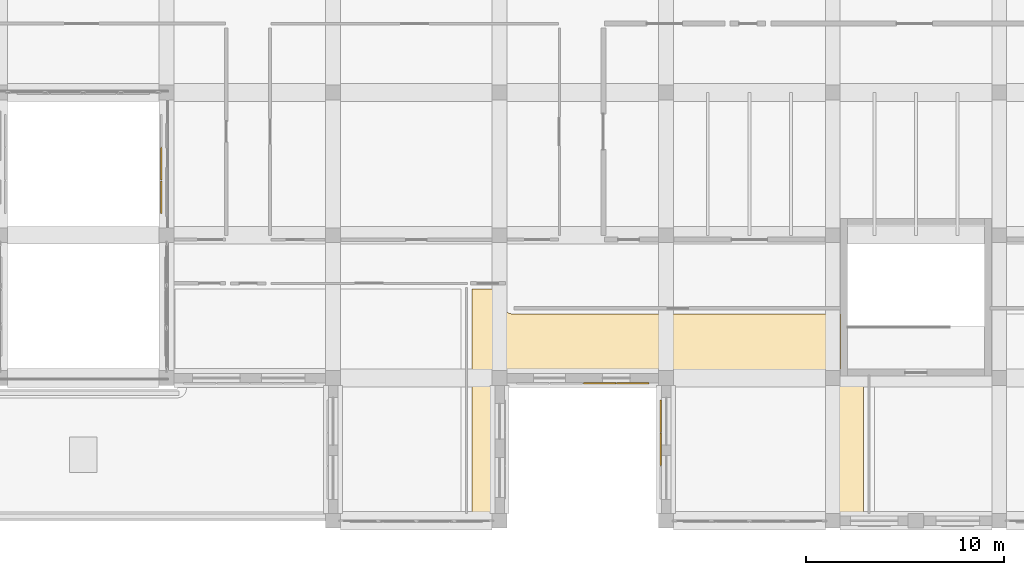
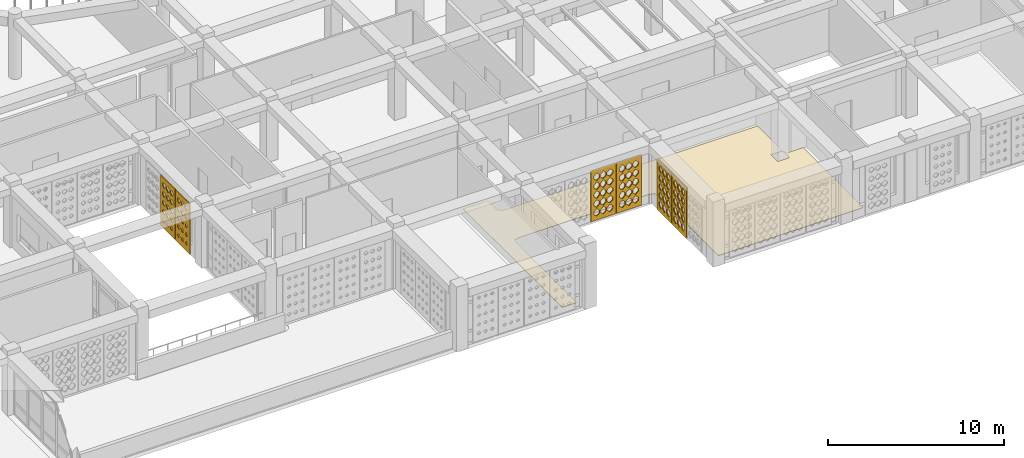
# One storey, part 85 of 111: 7 coverings.
"""IFC4 building model written with IfcOpenShell, lengths in metres."""

from ifc_helpers import new_model, si_unit, derived_unit, direction, frame, origin, place, context, subcontext, project, spatial, polyline, outline, extrude, material, layer, layer_set, type_object, element, save


model = new_model("IFC4")

# Units and contexts
model_context = context("Model", 3, precision=1e-05, world=origin(), true_north=direction((0.0, 1.0)))
body_context = subcontext(model_context, "Body", "Model", "MODEL_VIEW")
ifc_project = project(units=[si_unit("LENGTHUNIT", "METRE"), si_unit("AREAUNIT", "SQUARE_METRE"), si_unit("VOLUMEUNIT", "CUBIC_METRE"), si_unit("PLANEANGLEUNIT", "RADIAN"), si_unit("MASSUNIT", "GRAM", prefix="KILO"), derived_unit("THERMALTRANSMITTANCEUNIT", [(si_unit("POWERUNIT", "WATT"), 1), (si_unit("LENGTHUNIT", "METRE"), -2), (si_unit("THERMODYNAMICTEMPERATUREUNIT", "KELVIN"), -1)])], contexts=[model_context])

# Site, building, storey
site_placement = place(None, origin())
site = spatial("IfcSite", under=ifc_project, at=site_placement, CompositionType="ELEMENT")
building_placement = place(site_placement, origin())
building = spatial("IfcBuilding", under=site, at=building_placement, Name="Veybourne Emporium", CompositionType="ELEMENT")
storey_placement = place(building_placement, frame((0.0, 0.0, 9.89990234375)))
storey = spatial("IfcBuildingStorey", under=building, at=storey_placement, Name="L02", CompositionType="ELEMENT", Elevation=9.89990234375)

# Coverings
ifc_material_1 = material(Name="European Oak Parquet", Category="wood")
ifc_layer_1 = layer(ifc_material_1, 0.034912109375)
ifc_layer_set_1 = layer_set([ifc_layer_1], Name="European Oak Parquet")
covering_type_1 = type_object("IfcCoveringType", Name="Flooring_FLR-02", PredefinedType="FLOORING", material=ifc_layer_set_1)
covering_1_placement = place(storey_placement, origin())
element("IfcCovering", 1, at=covering_1_placement, inside=storey, type_object=covering_type_1, Name="L02 floor finish 04", PredefinedType="FLOORING", context=body_context, shape_type="SweptSolid", body=[
    extrude(outline(polyline([(92.840087890625, 7.199951171875), (92.83984375, 7.2099609375), (92.838623046875, 7.2333984375), (92.836669921875, 7.2529296875), (92.833251953125, 7.276123046875), (92.829345703125, 7.29541015625), (92.82373046875, 7.318359375), (92.81787109375, 7.337158203125), (92.81005859375, 7.359375), (92.802490234375, 7.37744140625), (92.79248046875, 7.398681640625), (92.783203125, 7.416015625), (92.780029296875, 7.42138671875), (92.780029296875, 7.580078125), (92.621337890625, 7.580078125), (92.615966796875, 7.583251953125), (92.5986328125, 7.592529296875), (92.577392578125, 7.6025390625), (92.559326171875, 7.610107421875), (92.537109375, 7.617919921875), (92.518310546875, 7.623779296875), (92.495361328125, 7.62939453125), (92.47607421875, 7.63330078125), (92.452880859375, 7.63671875), (92.433349609375, 7.638671875), (92.409912109375, 7.6396484375), (92.39990234375, 7.639892578125), (84.0, 7.639892578125), (83.990234375, 7.6396484375), (83.966552734375, 7.638671875), (83.947265625, 7.63671875), (83.923828125, 7.63330078125), (83.904541015625, 7.62939453125), (83.8818359375, 7.623779296875), (83.86279296875, 7.617919921875), (83.8408203125, 7.610107421875), (83.82275390625, 7.6025390625), (83.80126953125, 7.592529296875), (83.783935546875, 7.583251953125), (83.77880859375, 7.580078125), (83.6201171875, 7.580078125), (83.6201171875, 7.42138671875), (83.61669921875, 7.416015625), (83.607421875, 7.398681640625), (83.597412109375, 7.37744140625), (83.590087890625, 7.359375), (83.58203125, 7.337158203125), (83.576416015625, 7.318359375), (83.570556640625, 7.29541015625), (83.566650390625, 7.276123046875), (83.563232421875, 7.2529296875), (83.561279296875, 7.2333984375), (83.560302734375, 7.2099609375), (83.56005859375, 7.199951171875), (83.56005859375, 0.43994140625), (82.610107421875, 0.43994140625), (82.610107421875, 11.68994140625), (84.239990234375, 11.68994140625), (84.239990234375, 10.800048828125), (84.240234375, 10.790283203125), (84.240966796875, 10.7744140625), (84.242919921875, 10.755126953125), (84.2451171875, 10.739501953125), (84.2490234375, 10.72021484375), (84.2529296875, 10.704833984375), (84.258544921875, 10.68603515625), (84.263916015625, 10.67138671875), (84.271484375, 10.6533203125), (84.278076171875, 10.63916015625), (84.287353515625, 10.621826171875), (84.29541015625, 10.6083984375), (84.306396484375, 10.591796875), (84.315673828125, 10.579345703125), (84.328125, 10.564208984375), (84.338623046875, 10.552734375), (84.3525390625, 10.53857421875), (84.3642578125, 10.528076171875), (84.37939453125, 10.515625), (84.391845703125, 10.50634765625), (84.408203125, 10.495361328125), (84.421875, 10.4873046875), (84.43896484375, 10.47802734375), (84.453369140625, 10.471435546875), (84.471435546875, 10.4638671875), (84.486083984375, 10.45849609375), (84.5048828125, 10.452880859375), (84.520263671875, 10.448974609375), (84.53955078125, 10.4453125), (84.554931640625, 10.44287109375), (84.574462890625, 10.44091796875), (84.590087890625, 10.440185546875), (84.60009765625, 10.43994140625), (101.18994140625, 10.43994140625), (101.18994140625, 7.64990234375), (101.190185546875, 7.64013671875), (101.19091796875, 7.62451171875), (101.19287109375, 7.60498046875), (101.1953125, 7.589599609375), (101.198974609375, 7.570068359375), (101.202880859375, 7.554931640625), (101.20849609375, 7.5361328125), (101.2138671875, 7.521484375), (101.221435546875, 7.503173828125), (101.22802734375, 7.489013671875), (101.2373046875, 7.4716796875), (101.245361328125, 7.458251953125), (101.25634765625, 7.44189453125), (101.265625, 7.42919921875), (101.278076171875, 7.414306640625), (101.28857421875, 7.402587890625), (101.302734375, 7.388671875), (101.314208984375, 7.378173828125), (101.329345703125, 7.36572265625), (101.341796875, 7.3564453125), (101.3583984375, 7.345458984375), (101.371826171875, 7.33740234375), (101.38916015625, 7.328125), (101.4033203125, 7.3212890625), (101.42138671875, 7.31396484375), (101.43603515625, 7.30859375), (101.454833984375, 7.302978515625), (101.47021484375, 7.299072265625), (101.489501953125, 7.295166015625), (101.505126953125, 7.29296875), (101.5244140625, 7.291015625), (101.540283203125, 7.290283203125), (101.550048828125, 7.2900390625), (102.35009765625, 7.2900390625), (102.35009765625, 0.43994140625), (92.840087890625, 0.43994140625), (92.840087890625, 7.199951171875)]), holes=[polyline([(101.179931640625, 7.580078125), (100.419921875, 7.580078125), (100.419921875, 6.820068359375), (101.179931640625, 6.820068359375), (101.179931640625, 7.580078125)])]), origin(), (0.0, 0.0, 1.0), 0.03515625),
])
ifc_material_2 = material(Name="Warm-White Perforated Aluminium Screen Alloy", Category="aluminium")
ifc_layer_2 = layer(ifc_material_2, 0.06005859375)
ifc_layer_set_2 = layer_set([ifc_layer_2], Name="Warm-White Perforated Aluminium Screen Alloy")
covering_type_2 = type_object("IfcCoveringType", Name="WaveScreen_SCR-01", PredefinedType="CLADDING", material=ifc_layer_set_2)
covering_2_placement = place(storey_placement, frame((66.90185546875, 16.320068359375, 1.815185546875), z_axis=(1.0, 0.0, 0.0), x_axis=(0.0, 1.0, 0.0)))
element("IfcCovering", 2, at=covering_2_placement, inside=storey, type_object=covering_type_2, Name="L02 wave-perforated aluminium screen SCR-01 (37.1)", PredefinedType="CLADDING", context=body_context, shape_type="SweptSolid", body=[
    extrude(outline(polyline([(-0.81982421875, -1.7548828125), (0.81982421875, -1.7548828125), (0.81982421875, 1.7548828125), (-0.81982421875, 1.7548828125), (-0.81982421875, -1.7548828125)]), holes=[polyline([(-0.433349609375, -1.105224609375), (-0.32275390625, -1.183837890625), (-0.32275390625, -1.272216796875), (-0.433349609375, -1.350830078125), (-0.543701171875, -1.272216796875), (-0.543701171875, -1.183837890625), (-0.433349609375, -1.105224609375)]), polyline([(-0.433349609375, -0.482666015625), (-0.31591796875, -0.566650390625), (-0.31591796875, -0.661376953125), (-0.433349609375, -0.745361328125), (-0.55078125, -0.661376953125), (-0.55078125, -0.566650390625), (-0.433349609375, -0.482666015625)]), polyline([(-0.433349609375, 0.141845703125), (-0.307373046875, 0.051025390625), (-0.307373046875, -0.051025390625), (-0.433349609375, -0.141845703125), (-0.559326171875, -0.051025390625), (-0.559326171875, 0.051025390625), (-0.433349609375, 0.141845703125)]), polyline([(-0.433349609375, 0.767578125), (-0.297607421875, 0.669189453125), (-0.297607421875, 0.55859375), (-0.433349609375, 0.460205078125), (-0.569091796875, 0.55859375), (-0.569091796875, 0.669189453125), (-0.433349609375, 0.767578125)]), polyline([(-0.433349609375, 1.394775390625), (-0.286865234375, 1.2880859375), (-0.286865234375, 1.16796875), (-0.433349609375, 1.061279296875), (-0.57958984375, 1.16796875), (-0.57958984375, 1.2880859375), (-0.433349609375, 1.394775390625)]), polyline([(0.0, -1.1015625), (0.113525390625, -1.1826171875), (0.113525390625, -1.2734375), (0.0, -1.3544921875), (-0.113525390625, -1.2734375), (-0.113525390625, -1.1826171875), (0.0, -1.1015625)]), polyline([(0.0, -0.47802734375), (0.12109375, -0.565185546875), (0.12109375, -0.662841796875), (0.0, -0.75), (-0.12109375, -0.662841796875), (-0.12109375, -0.565185546875), (0.0, -0.47802734375)]), polyline([(0.0, 0.14697265625), (0.13037109375, 0.052978515625), (0.13037109375, -0.052978515625), (0.0, -0.14697265625), (-0.13037109375, -0.052978515625), (-0.13037109375, 0.052978515625), (0.0, 0.14697265625)]), polyline([(0.0, 0.7734375), (0.140380859375, 0.67138671875), (0.140380859375, 0.556640625), (0.0, 0.45458984375), (-0.140380859375, 0.556640625), (-0.140380859375, 0.67138671875), (0.0, 0.7734375)]), polyline([(0.0, 1.40087890625), (0.1513671875, 1.290283203125), (0.1513671875, 1.165771484375), (0.0, 1.05517578125), (-0.1513671875, 1.165771484375), (-0.1513671875, 1.290283203125), (0.0, 1.40087890625)]), polyline([(0.433349609375, -1.097412109375), (0.550048828125, -1.180908203125), (0.550048828125, -1.27490234375), (0.433349609375, -1.3583984375), (0.31640625, -1.27490234375), (0.31640625, -1.180908203125), (0.433349609375, -1.097412109375)]), polyline([(0.433349609375, -0.47314453125), (0.55859375, -0.563232421875), (0.55859375, -0.664794921875), (0.433349609375, -0.7548828125), (0.30810546875, -0.664794921875), (0.30810546875, -0.563232421875), (0.433349609375, -0.47314453125)]), polyline([(0.433349609375, 0.152587890625), (0.568115234375, 0.054931640625), (0.568115234375, -0.054931640625), (0.433349609375, -0.152587890625), (0.298583984375, -0.054931640625), (0.298583984375, 0.054931640625), (0.433349609375, 0.152587890625)]), polyline([(0.433349609375, 0.779296875), (0.57861328125, 0.673583984375), (0.57861328125, 0.554443359375), (0.433349609375, 0.448486328125), (0.2880859375, 0.554443359375), (0.2880859375, 0.673583984375), (0.433349609375, 0.779296875)]), polyline([(0.433349609375, 1.4072265625), (0.58984375, 1.29248046875), (0.58984375, 1.16357421875), (0.433349609375, 1.048828125), (0.276611328125, 1.16357421875), (0.276611328125, 1.29248046875), (0.433349609375, 1.4072265625)])]), origin(), (0.0, 0.0, 1.0), 0.06005859375),
])
covering_3_placement = place(storey_placement, frame((92.10205078125, 5.280029296875, 1.815185546875), z_axis=(1.0, 0.0, 0.0), x_axis=(0.0, 1.0, 0.0)))
element("IfcCovering", 3, at=covering_3_placement, inside=storey, type_object=covering_type_2, Name="L02 wave-perforated aluminium screen SCR-01 (47.3)", PredefinedType="CLADDING", context=body_context, shape_type="SweptSolid", body=[
    extrude(outline(polyline([(-0.81982421875, -1.7548828125), (0.81982421875, -1.7548828125), (0.81982421875, 1.7548828125), (-0.81982421875, 1.7548828125), (-0.81982421875, -1.7548828125)]), holes=[polyline([(-0.433349609375, -0.964111328125), (-0.2470703125, -1.133056640625), (-0.2470703125, -1.322998046875), (-0.433349609375, -1.491943359375), (-0.61962890625, -1.322998046875), (-0.61962890625, -1.133056640625), (-0.433349609375, -0.964111328125)]), polyline([(-0.433349609375, -0.35009765625), (-0.2470703125, -0.51904296875), (-0.2470703125, -0.708984375), (-0.433349609375, -0.8779296875), (-0.61962890625, -0.708984375), (-0.61962890625, -0.51904296875), (-0.433349609375, -0.35009765625)]), polyline([(-0.433349609375, 0.263916015625), (-0.2470703125, 0.094970703125), (-0.2470703125, -0.094970703125), (-0.433349609375, -0.263916015625), (-0.61962890625, -0.094970703125), (-0.61962890625, 0.094970703125), (-0.433349609375, 0.263916015625)]), polyline([(-0.433349609375, 0.8779296875), (-0.2470703125, 0.708984375), (-0.2470703125, 0.51904296875), (-0.433349609375, 0.35009765625), (-0.61962890625, 0.51904296875), (-0.61962890625, 0.708984375), (-0.433349609375, 0.8779296875)]), polyline([(-0.433349609375, 1.485595703125), (-0.2470703125, 1.32080078125), (-0.2470703125, 1.13525390625), (-0.433349609375, 0.97021484375), (-0.61962890625, 1.13525390625), (-0.61962890625, 1.32080078125), (-0.433349609375, 1.485595703125)]), polyline([(0.0, -0.964111328125), (0.186279296875, -1.133056640625), (0.186279296875, -1.322998046875), (0.0, -1.491943359375), (-0.186279296875, -1.322998046875), (-0.186279296875, -1.133056640625), (0.0, -0.964111328125)]), polyline([(0.0, -0.35009765625), (0.186279296875, -0.51904296875), (0.186279296875, -0.708984375), (0.0, -0.8779296875), (-0.186279296875, -0.708984375), (-0.186279296875, -0.51904296875), (0.0, -0.35009765625)]), polyline([(0.0, 0.263916015625), (0.186279296875, 0.094970703125), (0.186279296875, -0.094970703125), (0.0, -0.263916015625), (-0.186279296875, -0.094970703125), (-0.186279296875, 0.094970703125), (0.0, 0.263916015625)]), polyline([(0.0, 0.876220703125), (0.186279296875, 0.70849609375), (0.186279296875, 0.51953125), (0.0, 0.351806640625), (-0.186279296875, 0.51953125), (-0.186279296875, 0.70849609375), (0.0, 0.876220703125)]), polyline([(0.0, 1.4814453125), (0.186279296875, 1.3193359375), (0.186279296875, 1.13671875), (0.0, 0.974609375), (-0.186279296875, 1.13671875), (-0.186279296875, 1.3193359375), (0.0, 1.4814453125)]), polyline([(0.433349609375, -0.964111328125), (0.61962890625, -1.133056640625), (0.61962890625, -1.322998046875), (0.433349609375, -1.491943359375), (0.2470703125, -1.322998046875), (0.2470703125, -1.133056640625), (0.433349609375, -0.964111328125)]), polyline([(0.433349609375, -0.35009765625), (0.61962890625, -0.51904296875), (0.61962890625, -0.708984375), (0.433349609375, -0.8779296875), (0.2470703125, -0.708984375), (0.2470703125, -0.51904296875), (0.433349609375, -0.35009765625)]), polyline([(0.433349609375, 0.263916015625), (0.61962890625, 0.094970703125), (0.61962890625, -0.094970703125), (0.433349609375, -0.263916015625), (0.2470703125, -0.094970703125), (0.2470703125, 0.094970703125), (0.433349609375, 0.263916015625)]), polyline([(0.433349609375, 0.87255859375), (0.61962890625, 0.70703125), (0.61962890625, 0.52099609375), (0.433349609375, 0.35546875), (0.2470703125, 0.52099609375), (0.2470703125, 0.70703125), (0.433349609375, 0.87255859375)]), polyline([(0.433349609375, 1.47705078125), (0.61962890625, 1.317626953125), (0.61962890625, 1.13818359375), (0.433349609375, 0.97900390625), (0.2470703125, 1.13818359375), (0.2470703125, 1.317626953125), (0.433349609375, 1.47705078125)])]), origin(), (0.0, 0.0, 1.0), 0.06005859375),
])
ifc_layer_3 = layer(ifc_material_2, 0.06005859375)
ifc_layer_set_3 = layer_set([ifc_layer_3], Name="Warm-White Perforated Aluminium Screen Alloy")
covering_type_3 = type_object("IfcCoveringType", Name="WaveScreen_SCR-02", PredefinedType="CLADDING", material=ifc_layer_set_3)
covering_4_placement = place(storey_placement, frame((66.90185546875, 18.0, 1.815185546875), z_axis=(1.0, 0.0, 0.0), x_axis=(0.0, 1.0, 0.0)))
element("IfcCovering", 4, at=covering_4_placement, inside=storey, type_object=covering_type_3, Name="L02 wave-perforated aluminium screen SCR-02 (37.2)", PredefinedType="CLADDING", context=body_context, shape_type="SweptSolid", body=[
    extrude(outline(polyline([(-0.81982421875, -1.7548828125), (0.81982421875, -1.7548828125), (0.81982421875, 1.7548828125), (-0.81982421875, 1.7548828125), (-0.81982421875, -1.7548828125)]), holes=[polyline([(-0.433349609375, -1.0888671875), (-0.3095703125, -1.177978515625), (-0.3095703125, -1.278076171875), (-0.433349609375, -1.3671875), (-0.55712890625, -1.278076171875), (-0.55712890625, -1.177978515625), (-0.433349609375, -1.0888671875)]), polyline([(-0.433349609375, -0.46337890625), (-0.300048828125, -0.559814453125), (-0.300048828125, -0.668212890625), (-0.433349609375, -0.7646484375), (-0.566650390625, -0.668212890625), (-0.566650390625, -0.559814453125), (-0.433349609375, -0.46337890625)]), polyline([(-0.433349609375, 0.16357421875), (-0.28955078125, 0.058837890625), (-0.28955078125, -0.058837890625), (-0.433349609375, -0.16357421875), (-0.5771484375, -0.058837890625), (-0.5771484375, 0.058837890625), (-0.433349609375, 0.16357421875)]), polyline([(-0.433349609375, 0.791015625), (-0.2783203125, 0.677734375), (-0.2783203125, 0.55029296875), (-0.433349609375, 0.43701171875), (-0.588134765625, 0.55029296875), (-0.588134765625, 0.677734375), (-0.433349609375, 0.791015625)]), polyline([(-0.433349609375, 1.419189453125), (-0.266845703125, 1.296875), (-0.266845703125, 1.1591796875), (-0.433349609375, 1.036865234375), (-0.599853515625, 1.1591796875), (-0.599853515625, 1.296875), (-0.433349609375, 1.419189453125)]), polyline([(0.0, -1.083740234375), (0.1279296875, -1.176025390625), (0.1279296875, -1.27978515625), (0.0, -1.372314453125), (-0.1279296875, -1.27978515625), (-0.1279296875, -1.176025390625), (0.0, -1.083740234375)]), polyline([(0.0, -0.45751953125), (0.137939453125, -0.5576171875), (0.137939453125, -0.67041015625), (0.0, -0.7705078125), (-0.137939453125, -0.67041015625), (-0.137939453125, -0.5576171875), (0.0, -0.45751953125)]), polyline([(0.0, 0.169677734375), (0.148681640625, 0.06103515625), (0.148681640625, -0.06103515625), (0.0, -0.169677734375), (-0.148681640625, -0.06103515625), (-0.148681640625, 0.06103515625), (0.0, 0.169677734375)]), polyline([(0.0, 0.797607421875), (0.16015625, 0.679931640625), (0.16015625, 0.548095703125), (0.0, 0.430419921875), (-0.16015625, 0.548095703125), (-0.16015625, 0.679931640625), (0.0, 0.797607421875)]), polyline([(0.0, 1.425537109375), (0.171630859375, 1.299072265625), (0.171630859375, 1.156982421875), (0.0, 1.030517578125), (-0.171630859375, 1.156982421875), (-0.171630859375, 1.299072265625), (0.0, 1.425537109375)]), polyline([(0.433349609375, -1.078369140625), (0.565673828125, -1.17431640625), (0.565673828125, -1.28173828125), (0.433349609375, -1.377685546875), (0.301025390625, -1.28173828125), (0.301025390625, -1.17431640625), (0.433349609375, -1.078369140625)]), polyline([(0.433349609375, -0.451904296875), (0.576171875, -0.5556640625), (0.576171875, -0.67236328125), (0.433349609375, -0.776123046875), (0.29052734375, -0.67236328125), (0.29052734375, -0.5556640625), (0.433349609375, -0.451904296875)]), polyline([(0.433349609375, 0.17578125), (0.587158203125, 0.063232421875), (0.587158203125, -0.063232421875), (0.433349609375, -0.17578125), (0.279541015625, -0.063232421875), (0.279541015625, 0.063232421875), (0.433349609375, 0.17578125)]), polyline([(0.433349609375, 0.803955078125), (0.5986328125, 0.682373046875), (0.5986328125, 0.545654296875), (0.433349609375, 0.424072265625), (0.26806640625, 0.545654296875), (0.26806640625, 0.682373046875), (0.433349609375, 0.803955078125)]), polyline([(0.433349609375, 1.431884765625), (0.6103515625, 1.301513671875), (0.6103515625, 1.154541015625), (0.433349609375, 1.02392578125), (0.25634765625, 1.154541015625), (0.25634765625, 1.301513671875), (0.433349609375, 1.431884765625)])]), origin(), (0.0, 0.0, 1.0), 0.06005859375),
])
ifc_layer_4 = layer(ifc_material_2, 0.06005859375)
ifc_layer_set_4 = layer_set([ifc_layer_4], Name="Warm-White Perforated Aluminium Screen Alloy")
covering_type_4 = type_object("IfcCoveringType", Name="WaveScreen_SCR-03", PredefinedType="CLADDING", material=ifc_layer_set_4)
covering_5_placement = place(storey_placement, frame((90.719970703125, 6.90185546875, 1.815185546875), z_axis=(0.0, 1.0, 0.0), x_axis=(-1.0, 0.0, 0.0)))
element("IfcCovering", 5, at=covering_5_placement, inside=storey, type_object=covering_type_4, Name="L02 wave-perforated aluminium screen SCR-03 (43.1)", PredefinedType="CLADDING", context=body_context, shape_type="SweptSolid", body=[
    extrude(outline(polyline([(-0.81982421875, -1.7548828125), (0.81982421875, -1.7548828125), (0.81982421875, 1.7548828125), (-0.81982421875, 1.7548828125), (-0.81982421875, -1.7548828125)]), holes=[polyline([(-0.433349609375, -0.964111328125), (-0.2470703125, -1.133056640625), (-0.2470703125, -1.322998046875), (-0.433349609375, -1.491943359375), (-0.61962890625, -1.322998046875), (-0.61962890625, -1.133056640625), (-0.433349609375, -0.964111328125)]), polyline([(-0.433349609375, -0.35009765625), (-0.2470703125, -0.51904296875), (-0.2470703125, -0.708984375), (-0.433349609375, -0.8779296875), (-0.61962890625, -0.708984375), (-0.61962890625, -0.51904296875), (-0.433349609375, -0.35009765625)]), polyline([(-0.433349609375, 0.263916015625), (-0.2470703125, 0.094970703125), (-0.2470703125, -0.094970703125), (-0.433349609375, -0.263916015625), (-0.61962890625, -0.094970703125), (-0.61962890625, 0.094970703125), (-0.433349609375, 0.263916015625)]), polyline([(-0.433349609375, 0.870361328125), (-0.2470703125, 0.706298828125), (-0.2470703125, 0.521728515625), (-0.433349609375, 0.357666015625), (-0.61962890625, 0.521728515625), (-0.61962890625, 0.706298828125), (-0.433349609375, 0.870361328125)]), polyline([(-0.433349609375, 1.474365234375), (-0.2470703125, 1.316650390625), (-0.2470703125, 1.139404296875), (-0.433349609375, 0.981689453125), (-0.61962890625, 1.139404296875), (-0.61962890625, 1.316650390625), (-0.433349609375, 1.474365234375)]), polyline([(0.0, -0.964111328125), (0.186279296875, -1.133056640625), (0.186279296875, -1.322998046875), (0.0, -1.491943359375), (-0.186279296875, -1.322998046875), (-0.186279296875, -1.133056640625), (0.0, -0.964111328125)]), polyline([(0.0, -0.35009765625), (0.186279296875, -0.51904296875), (0.186279296875, -0.708984375), (0.0, -0.8779296875), (-0.186279296875, -0.708984375), (-0.186279296875, -0.51904296875), (0.0, -0.35009765625)]), polyline([(0.0, 0.263916015625), (0.186279296875, 0.094970703125), (0.186279296875, -0.094970703125), (0.0, -0.263916015625), (-0.186279296875, -0.094970703125), (-0.186279296875, 0.094970703125), (0.0, 0.263916015625)]), polyline([(0.0, 0.874267578125), (0.186279296875, 0.707763671875), (0.186279296875, 0.520263671875), (0.0, 0.353759765625), (-0.186279296875, 0.520263671875), (-0.186279296875, 0.707763671875), (0.0, 0.874267578125)]), polyline([(0.0, 1.47900390625), (0.186279296875, 1.318359375), (0.186279296875, 1.1376953125), (0.0, 0.976806640625), (-0.186279296875, 1.1376953125), (-0.186279296875, 1.318359375), (0.0, 1.47900390625)]), polyline([(0.433349609375, -0.964111328125), (0.61962890625, -1.133056640625), (0.61962890625, -1.322998046875), (0.433349609375, -1.491943359375), (0.2470703125, -1.322998046875), (0.2470703125, -1.133056640625), (0.433349609375, -0.964111328125)]), polyline([(0.433349609375, -0.35009765625), (0.61962890625, -0.51904296875), (0.61962890625, -0.708984375), (0.433349609375, -0.8779296875), (0.2470703125, -0.708984375), (0.2470703125, -0.51904296875), (0.433349609375, -0.35009765625)]), polyline([(0.433349609375, 0.263916015625), (0.61962890625, 0.094970703125), (0.61962890625, -0.094970703125), (0.433349609375, -0.263916015625), (0.2470703125, -0.094970703125), (0.2470703125, 0.094970703125), (0.433349609375, 0.263916015625)]), polyline([(0.433349609375, 0.877685546875), (0.61962890625, 0.708984375), (0.61962890625, 0.51904296875), (0.433349609375, 0.350341796875), (0.2470703125, 0.51904296875), (0.2470703125, 0.708984375), (0.433349609375, 0.877685546875)]), polyline([(0.433349609375, 1.4833984375), (0.61962890625, 1.320068359375), (0.61962890625, 1.135986328125), (0.433349609375, 0.97265625), (0.2470703125, 1.135986328125), (0.2470703125, 1.320068359375), (0.433349609375, 1.4833984375)])]), origin(), (0.0, 0.0, 1.0), 0.06005859375),
])
ifc_layer_5 = layer(ifc_material_2, 0.06005859375)
ifc_layer_set_5 = layer_set([ifc_layer_5], Name="Warm-White Perforated Aluminium Screen Alloy")
covering_type_5 = type_object("IfcCoveringType", Name="WaveScreen_SCR-04", PredefinedType="CLADDING", material=ifc_layer_set_5)
covering_6_placement = place(storey_placement, frame((89.0400390625, 6.90185546875, 1.815185546875), z_axis=(0.0, 1.0, 0.0), x_axis=(-1.0, 0.0, 0.0)))
element("IfcCovering", 6, at=covering_6_placement, inside=storey, type_object=covering_type_5, Name="L02 wave-perforated aluminium screen SCR-04 (43.2)", PredefinedType="CLADDING", context=body_context, shape_type="SweptSolid", body=[
    extrude(outline(polyline([(-0.81982421875, -1.7548828125), (0.81982421875, -1.7548828125), (0.81982421875, 1.7548828125), (-0.81982421875, 1.7548828125), (-0.81982421875, -1.7548828125)]), holes=[polyline([(-0.433349609375, -0.964111328125), (-0.2470703125, -1.133056640625), (-0.2470703125, -1.322998046875), (-0.433349609375, -1.491943359375), (-0.61962890625, -1.322998046875), (-0.61962890625, -1.133056640625), (-0.433349609375, -0.964111328125)]), polyline([(-0.433349609375, -0.35009765625), (-0.2470703125, -0.51904296875), (-0.2470703125, -0.708984375), (-0.433349609375, -0.8779296875), (-0.61962890625, -0.708984375), (-0.61962890625, -0.51904296875), (-0.433349609375, -0.35009765625)]), polyline([(-0.433349609375, 0.263916015625), (-0.2470703125, 0.094970703125), (-0.2470703125, -0.094970703125), (-0.433349609375, -0.263916015625), (-0.61962890625, -0.094970703125), (-0.61962890625, 0.094970703125), (-0.433349609375, 0.263916015625)]), polyline([(-0.433349609375, 0.8779296875), (-0.2470703125, 0.708984375), (-0.2470703125, 0.51904296875), (-0.433349609375, 0.35009765625), (-0.61962890625, 0.51904296875), (-0.61962890625, 0.708984375), (-0.433349609375, 0.8779296875)]), polyline([(-0.433349609375, 1.490478515625), (-0.2470703125, 1.322509765625), (-0.2470703125, 1.133544921875), (-0.433349609375, 0.965576171875), (-0.61962890625, 1.133544921875), (-0.61962890625, 1.322509765625), (-0.433349609375, 1.490478515625)]), polyline([(0.0, -0.964111328125), (0.186279296875, -1.133056640625), (0.186279296875, -1.322998046875), (0.0, -1.491943359375), (-0.186279296875, -1.322998046875), (-0.186279296875, -1.133056640625), (0.0, -0.964111328125)]), polyline([(0.0, -0.35009765625), (0.186279296875, -0.51904296875), (0.186279296875, -0.708984375), (0.0, -0.8779296875), (-0.186279296875, -0.708984375), (-0.186279296875, -0.51904296875), (0.0, -0.35009765625)]), polyline([(0.0, 0.263916015625), (0.186279296875, 0.094970703125), (0.186279296875, -0.094970703125), (0.0, -0.263916015625), (-0.186279296875, -0.094970703125), (-0.186279296875, 0.094970703125), (0.0, 0.263916015625)]), polyline([(0.0, 0.8779296875), (0.186279296875, 0.708984375), (0.186279296875, 0.51904296875), (0.0, 0.35009765625), (-0.186279296875, 0.51904296875), (-0.186279296875, 0.708984375), (0.0, 0.8779296875)]), polyline([(0.0, 1.491943359375), (0.186279296875, 1.322998046875), (0.186279296875, 1.133056640625), (0.0, 0.964111328125), (-0.186279296875, 1.133056640625), (-0.186279296875, 1.322998046875), (0.0, 1.491943359375)]), polyline([(0.433349609375, -0.964111328125), (0.61962890625, -1.133056640625), (0.61962890625, -1.322998046875), (0.433349609375, -1.491943359375), (0.2470703125, -1.322998046875), (0.2470703125, -1.133056640625), (0.433349609375, -0.964111328125)]), polyline([(0.433349609375, -0.35009765625), (0.61962890625, -0.51904296875), (0.61962890625, -0.708984375), (0.433349609375, -0.8779296875), (0.2470703125, -0.708984375), (0.2470703125, -0.51904296875), (0.433349609375, -0.35009765625)]), polyline([(0.433349609375, 0.263916015625), (0.61962890625, 0.094970703125), (0.61962890625, -0.094970703125), (0.433349609375, -0.263916015625), (0.2470703125, -0.094970703125), (0.2470703125, 0.094970703125), (0.433349609375, 0.263916015625)]), polyline([(0.433349609375, 0.8779296875), (0.61962890625, 0.708984375), (0.61962890625, 0.51904296875), (0.433349609375, 0.35009765625), (0.2470703125, 0.51904296875), (0.2470703125, 0.708984375), (0.433349609375, 0.8779296875)]), polyline([(0.433349609375, 1.491943359375), (0.61962890625, 1.322998046875), (0.61962890625, 1.133056640625), (0.433349609375, 0.964111328125), (0.2470703125, 1.133056640625), (0.2470703125, 1.322998046875), (0.433349609375, 1.491943359375)])]), origin(), (0.0, 0.0, 1.0), 0.06005859375),
])
covering_7_placement = place(storey_placement, frame((92.10205078125, 3.60009765625, 1.815185546875), z_axis=(1.0, 0.0, 0.0), x_axis=(0.0, 1.0, 0.0)))
element("IfcCovering", 7, at=covering_7_placement, inside=storey, type_object=covering_type_5, Name="L02 wave-perforated aluminium screen SCR-04 (47.2)", PredefinedType="CLADDING", context=body_context, shape_type="SweptSolid", body=[
    extrude(outline(polyline([(-0.81982421875, -1.7548828125), (0.81982421875, -1.7548828125), (0.81982421875, 1.7548828125), (-0.81982421875, 1.7548828125), (-0.81982421875, -1.7548828125)]), holes=[polyline([(-0.433349609375, -0.964111328125), (-0.2470703125, -1.133056640625), (-0.2470703125, -1.322998046875), (-0.433349609375, -1.491943359375), (-0.61962890625, -1.322998046875), (-0.61962890625, -1.133056640625), (-0.433349609375, -0.964111328125)]), polyline([(-0.433349609375, -0.35009765625), (-0.2470703125, -0.51904296875), (-0.2470703125, -0.708984375), (-0.433349609375, -0.8779296875), (-0.61962890625, -0.708984375), (-0.61962890625, -0.51904296875), (-0.433349609375, -0.35009765625)]), polyline([(-0.433349609375, 0.263916015625), (-0.2470703125, 0.094970703125), (-0.2470703125, -0.094970703125), (-0.433349609375, -0.263916015625), (-0.61962890625, -0.094970703125), (-0.61962890625, 0.094970703125), (-0.433349609375, 0.263916015625)]), polyline([(-0.433349609375, 0.8779296875), (-0.2470703125, 0.708984375), (-0.2470703125, 0.51904296875), (-0.433349609375, 0.35009765625), (-0.61962890625, 0.51904296875), (-0.61962890625, 0.708984375), (-0.433349609375, 0.8779296875)]), polyline([(-0.433349609375, 1.491943359375), (-0.2470703125, 1.322998046875), (-0.2470703125, 1.133056640625), (-0.433349609375, 0.964111328125), (-0.61962890625, 1.133056640625), (-0.61962890625, 1.322998046875), (-0.433349609375, 1.491943359375)]), polyline([(0.0, -0.964111328125), (0.186279296875, -1.133056640625), (0.186279296875, -1.322998046875), (0.0, -1.491943359375), (-0.186279296875, -1.322998046875), (-0.186279296875, -1.133056640625), (0.0, -0.964111328125)]), polyline([(0.0, -0.35009765625), (0.186279296875, -0.51904296875), (0.186279296875, -0.708984375), (0.0, -0.8779296875), (-0.186279296875, -0.708984375), (-0.186279296875, -0.51904296875), (0.0, -0.35009765625)]), polyline([(0.0, 0.263916015625), (0.186279296875, 0.094970703125), (0.186279296875, -0.094970703125), (0.0, -0.263916015625), (-0.186279296875, -0.094970703125), (-0.186279296875, 0.094970703125), (0.0, 0.263916015625)]), polyline([(0.0, 0.8779296875), (0.186279296875, 0.708984375), (0.186279296875, 0.51904296875), (0.0, 0.35009765625), (-0.186279296875, 0.51904296875), (-0.186279296875, 0.708984375), (0.0, 0.8779296875)]), polyline([(0.0, 1.491943359375), (0.186279296875, 1.322998046875), (0.186279296875, 1.133056640625), (0.0, 0.964111328125), (-0.186279296875, 1.133056640625), (-0.186279296875, 1.322998046875), (0.0, 1.491943359375)]), polyline([(0.433349609375, -0.964111328125), (0.61962890625, -1.133056640625), (0.61962890625, -1.322998046875), (0.433349609375, -1.491943359375), (0.2470703125, -1.322998046875), (0.2470703125, -1.133056640625), (0.433349609375, -0.964111328125)]), polyline([(0.433349609375, -0.35009765625), (0.61962890625, -0.51904296875), (0.61962890625, -0.708984375), (0.433349609375, -0.8779296875), (0.2470703125, -0.708984375), (0.2470703125, -0.51904296875), (0.433349609375, -0.35009765625)]), polyline([(0.433349609375, 0.263916015625), (0.61962890625, 0.094970703125), (0.61962890625, -0.094970703125), (0.433349609375, -0.263916015625), (0.2470703125, -0.094970703125), (0.2470703125, 0.094970703125), (0.433349609375, 0.263916015625)]), polyline([(0.433349609375, 0.8779296875), (0.61962890625, 0.708984375), (0.61962890625, 0.51904296875), (0.433349609375, 0.35009765625), (0.2470703125, 0.51904296875), (0.2470703125, 0.708984375), (0.433349609375, 0.8779296875)]), polyline([(0.433349609375, 1.491943359375), (0.61962890625, 1.322998046875), (0.61962890625, 1.133056640625), (0.433349609375, 0.964111328125), (0.2470703125, 1.133056640625), (0.2470703125, 1.322998046875), (0.433349609375, 1.491943359375)])]), origin(), (0.0, 0.0, 1.0), 0.06005859375),
])

save(model, "model.ifc")
